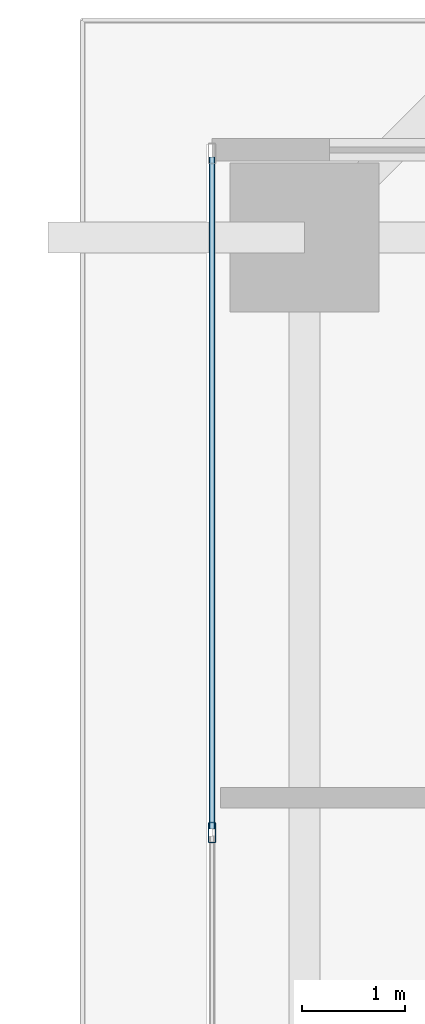
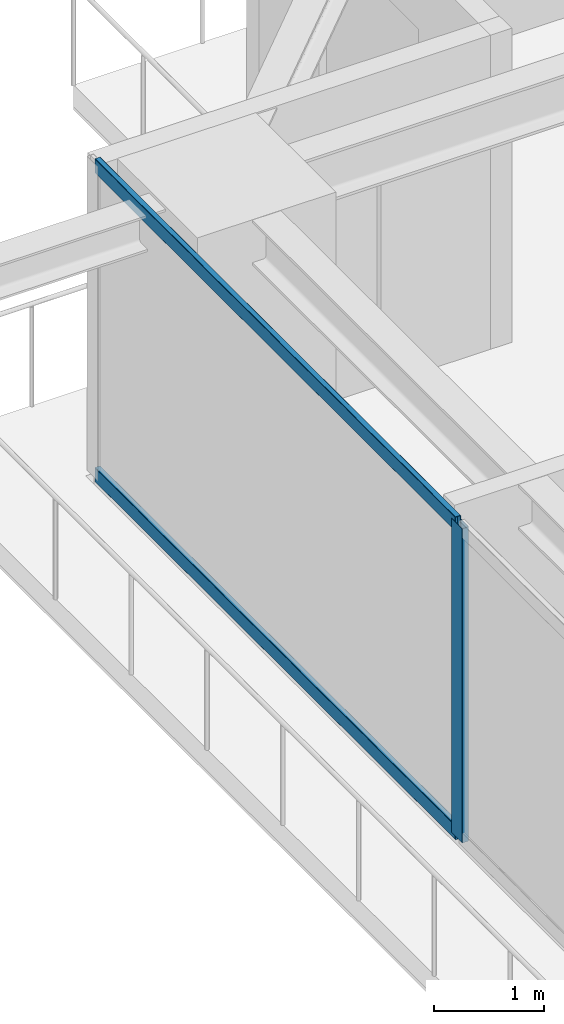
# One storey, part 16 of 39: 3 members, 1 element without a shape of its own.
"""IFC4 building model written with IfcOpenShell, lengths in metres."""

from ifc_helpers import new_model, si_unit, direction, frame, origin, origin_2d, place, context, subcontext, project, spatial, hollow_rectangle, extrude, source, transform, mapped, material, layer, layer_set, material_profile, profile_set, type_object, element, aggregate, save


model = new_model("IFC4")

# Units and contexts
model_context = context("Model", 3, precision=1e-05, world=origin(), true_north=direction((0.0, 1.0)))
body_context = subcontext(model_context, "Body", "Model", "MODEL_VIEW")
ifc_project = project(units=[si_unit("LENGTHUNIT", "METRE"), si_unit("AREAUNIT", "SQUARE_METRE"), si_unit("VOLUMEUNIT", "CUBIC_METRE"), si_unit("PLANEANGLEUNIT", "RADIAN"), si_unit("MASSUNIT", "GRAM", prefix="KILO")], contexts=[model_context])

# Site, building, storey
site_placement = place(None, origin())
site = spatial("IfcSite", under=ifc_project, at=site_placement, CompositionType="ELEMENT")
building_placement = place(site_placement, origin())
building = spatial("IfcBuilding", under=site, at=building_placement, Name="Serunith Strait Residences", CompositionType="ELEMENT")
storey_placement = place(building_placement, frame((0.0, 0.0, 97.949951171875)))
storey = spatial("IfcBuildingStorey", under=building, at=storey_placement, Name="L24", CompositionType="ELEMENT", Elevation=97.949951171875)

# Curtain wall, members
ifc_material = material(Name="Pale-Champagne Anodised Aluminium", Category="aluminium")
ifc_layer = layer(ifc_material, 0.199951171875, Name="Pale-Champagne Anodised Aluminium")
ifc_layer_set = layer_set([ifc_layer], Name="Pale-Champagne Anodised Aluminium")
curtain_wall_type = type_object("IfcCurtainWallType", Name="CW-SYS1", PredefinedType="NOTDEFINED", material=ifc_layer_set)
curtain_wall_placement = place(storey_placement, origin())
curtain_wall = element("IfcCurtainWall", 1, at=curtain_wall_placement, inside=storey, type_object=curtain_wall_type, Name="L24 W Unitised Fritted Curtain Wall", PredefinedType="NOTDEFINED")
ifc_material_profile_1 = material_profile(ifc_material, hollow_rectangle(XDim=0.070068359375, YDim=0.199951171875, WallThickness=0.00390625, InnerFilletRadius=0.006103515625, OuterFilletRadius=0.010009765625, at=origin_2d()), Name="ALU 200x70x4")
ifc_profile_set_1 = profile_set([ifc_material_profile_1], Name="Pale-Champagne Anodised Aluminium")
member_type_1 = type_object("IfcMemberType", Name="CW-SYS1-MULL", PredefinedType="MULLION", material=ifc_profile_set_1)
shared_shape_1 = source(origin(), body_context, "Body", "SweptSolid", [
    extrude(hollow_rectangle(XDim=0.070068359375, YDim=0.199951171875, WallThickness=0.00390625, InnerFilletRadius=0.006103515625, OuterFilletRadius=0.010009765625, at=origin_2d()), origin(), (0.0, 0.0, 1.0), 3.47509765625),
])
member_1_placement = place(storey_placement, frame((6.0, 35.159912109375, 0.0), z_axis=(0.0, 0.0, 1.0), x_axis=(1.0, 0.0, 0.0)))
member_1 = element("IfcMember", 2, at=member_1_placement, type_object=member_type_1, Name="CW-1 mullion 2", PredefinedType="MULLION", context=body_context, shape_type="MappedRepresentation", body=[
    mapped(shared_shape_1, transform((0.0, 0.0, 0.0), scale=1.0)),
])
ifc_material_profile_2 = material_profile(ifc_material, hollow_rectangle(XDim=0.06005859375, YDim=0.159912109375, WallThickness=0.00341796875, InnerFilletRadius=0.00537109375, OuterFilletRadius=0.0087890625, at=origin_2d()), Name="ALU 160x60x3.5")
ifc_profile_set_2 = profile_set([ifc_material_profile_2], Name="Pale-Champagne Anodised Aluminium")
member_type_2 = type_object("IfcMemberType", Name="CW-SYS1-TRAN", PredefinedType="USERDEFINED", material=ifc_profile_set_2)
shared_shape_2 = source(origin(), body_context, "Body", "SweptSolid", [
    extrude(hollow_rectangle(XDim=0.06005859375, YDim=0.159912109375, WallThickness=0.00341796875, InnerFilletRadius=0.00537109375, OuterFilletRadius=0.0087890625, at=origin_2d()), origin(), (0.0, 0.0, 1.0), 6.534912109375),
])
member_2_placement = place(storey_placement, frame((6.0, 41.72998046875, 0.030029296875), z_axis=(0.0, -1.0, 0.0), x_axis=(1.0, 0.0, 0.0)))
member_2 = element("IfcMember", 3, at=member_2_placement, type_object=member_type_2, Name="CW-1 transom 1.1", ObjectType="TRANSOM", PredefinedType="USERDEFINED", context=body_context, shape_type="MappedRepresentation", body=[
    mapped(shared_shape_2, transform((0.0, 0.0, 0.0), scale=1.0)),
])
member_3_placement = place(storey_placement, frame((6.0, 41.72998046875, 3.445068359375), z_axis=(0.0, -1.0, 0.0), x_axis=(1.0, 0.0, 0.0)))
member_3 = element("IfcMember", 4, at=member_3_placement, type_object=member_type_2, Name="CW-1 transom 1.2", ObjectType="TRANSOM", PredefinedType="USERDEFINED", context=body_context, shape_type="MappedRepresentation", body=[
    mapped(shared_shape_2, transform((0.0, 0.0, 0.0), scale=1.0)),
])
aggregate(curtain_wall, [member_1, member_2, member_3])

save(model, "model.ifc")
